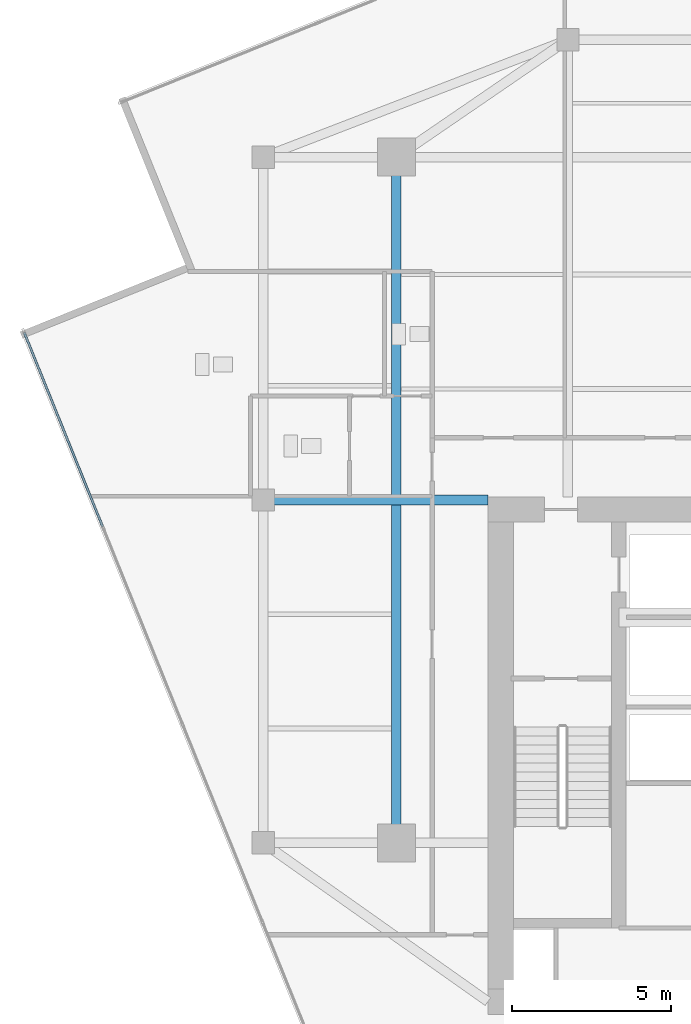
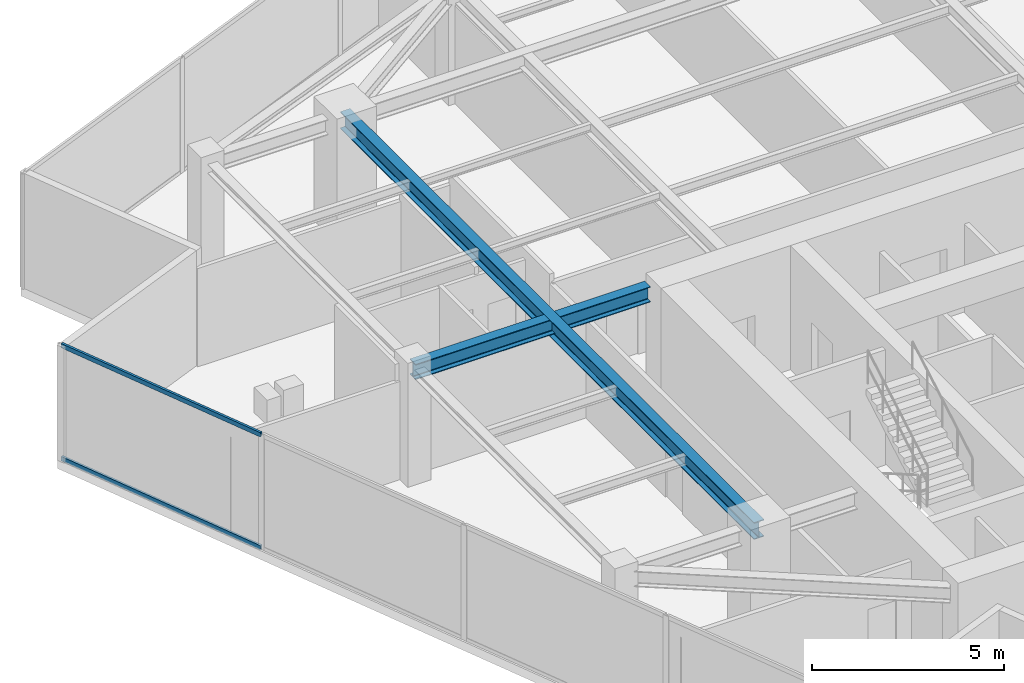
# One storey, part 6 of 21: 2 beams, 2 members, 1 element without a shape of its own.
"""IFC4 building model written with IfcOpenShell, lengths in metres."""

from ifc_helpers import new_model, si_unit, direction, frame, origin, origin_2d, place, context, subcontext, project, spatial, hollow_rectangle, i_section, extrude, source, transform, mapped, material, material_profile, profile_set, type_object, type_shapes, element, aggregate, save


model = new_model("IFC4")

# Units and contexts
model_context = context("Model", 3, precision=1e-05, world=origin(), true_north=direction((0.0, 1.0)))
body_context = subcontext(model_context, "Body", "Model", "MODEL_VIEW")
ifc_project = project(units=[si_unit("LENGTHUNIT", "METRE"), si_unit("AREAUNIT", "SQUARE_METRE"), si_unit("VOLUMEUNIT", "CUBIC_METRE"), si_unit("PLANEANGLEUNIT", "RADIAN"), si_unit("MASSUNIT", "GRAM", prefix="KILO")], contexts=[model_context])

# Site, building, storey
site_placement = place(None, origin())
site = spatial("IfcSite", under=ifc_project, at=site_placement, CompositionType="ELEMENT")
building_placement = place(site_placement, origin())
building = spatial("IfcBuilding", under=site, at=building_placement, Name="Krantzveldt Concourse Tower", CompositionType="ELEMENT")
storey_placement = place(building_placement, frame((0.0, 0.0, 327.699951171875)))
storey = spatial("IfcBuildingStorey", under=building, at=storey_placement, Name="L80", CompositionType="ELEMENT", Elevation=327.699951171875)

# Beams
ifc_material_1 = material(Name="Steel S355JR", Category="steel")
ifc_material_profile_1 = material_profile(ifc_material_1, i_section(OverallWidth=0.300048828125, OverallDepth=0.489990234375, WebThickness=0.011962890625, FlangeThickness=0.02294921875, FilletRadius=0.027099609375, at=origin_2d()), Name="Steel S355JR", Category="steel")
ifc_profile_set_1 = profile_set([ifc_material_profile_1], Name="Steel S355JR - HEA 500")
beam_type_1 = type_object("IfcBeamType", Name="BM-B-HEA500", PredefinedType="BEAM", material=ifc_profile_set_1)
shared_shape_1 = source(origin(), body_context, "Body", "SweptSolid", [
    extrude(i_section(OverallWidth=0.300048828125, OverallDepth=0.489990234375, WebThickness=0.011962890625, FlangeThickness=0.02294921875, FilletRadius=0.027099609375, at=origin_2d()), origin(), (0.0, 0.0, 1.0), 7.080078125),
])
type_shapes(beam_type_1, [shared_shape_1])
beam_1_placement = place(storey_placement, frame((21.0, 26.699951171875, 3.425048828125), z_axis=(1.0, 0.0, 0.0), x_axis=(0.0, 1.0, 0.0)))
element("IfcBeam", 1, at=beam_1_placement, inside=storey, type_object=beam_type_1, Name="L80 Tower Girder BG-CW2", PredefinedType="BEAM", context=body_context, shape_type="MappedRepresentation", body=[
    mapped(shared_shape_1, transform((0.0, 0.0, 0.0), x_axis=(1.0, 0.0, 0.0), y_axis=(0.0, 1.0, 0.0), z_axis=(0.0, 0.0, 1.0), scale=1.0)),
])
ifc_material_profile_2 = material_profile(ifc_material_1, i_section(OverallWidth=0.300048828125, OverallDepth=0.5400390625, WebThickness=0.012451171875, FlangeThickness=0.02392578125, FilletRadius=0.027099609375, at=origin_2d()), Name="Steel S355JR", Category="steel")
ifc_profile_set_2 = profile_set([ifc_material_profile_2], Name="Steel S355JR - HEA 550")
beam_type_2 = type_object("IfcBeamType", Name="BM-B-HEA550", PredefinedType="BEAM", material=ifc_profile_set_2)
shared_shape_2 = source(origin(), body_context, "Body", "SweptSolid", [
    extrude(i_section(OverallWidth=0.300048828125, OverallDepth=0.5400390625, WebThickness=0.012451171875, FlangeThickness=0.02392578125, FilletRadius=0.027099609375, at=origin_2d()), origin(), (0.0, 0.0, 1.0), 21.60009765625),
])
type_shapes(beam_type_2, [shared_shape_2])
beam_2_placement = place(storey_placement, frame((25.199951171875, 15.89990234375, 3.400146484375), z_axis=(0.0, 1.0, 0.0), x_axis=(-1.0, 0.0, 0.0)))
element("IfcBeam", 2, at=beam_2_placement, inside=storey, type_object=beam_type_2, Name="L80 Tower Girder BG-MW", PredefinedType="BEAM", context=body_context, shape_type="MappedRepresentation", body=[
    mapped(shared_shape_2, transform((0.0, 0.0, 0.0), x_axis=(1.0, 0.0, 0.0), y_axis=(0.0, 1.0, 0.0), z_axis=(0.0, 0.0, 1.0), scale=1.0)),
])

# Curtain wall, members
ifc_material_2 = material(Name="Anodised aluminium 6063-T6", Category="aluminium")
curtain_wall_type = type_object("IfcCurtainWallType", Name="CW4", PredefinedType="USERDEFINED", material=ifc_material_2)
curtain_wall_placement = place(storey_placement, origin())
curtain_wall = element("IfcCurtainWall", 3, at=curtain_wall_placement, inside=storey, type_object=curtain_wall_type, Name="CW-L80-F04", ObjectType="UNITISED CURTAIN WALL", PredefinedType="USERDEFINED")
ifc_material_profile_3 = material_profile(ifc_material_2, hollow_rectangle(XDim=0.070068359375, YDim=0.139892578125, WallThickness=0.0048828125, at=origin_2d()), Name="Anodised aluminium 6063-T6", Category="aluminium")
ifc_profile_set_3 = profile_set([ifc_material_profile_3], Name="Anodised aluminium 6063-T6 - ALU-TRAN 140x70x5")
member_type = type_object("IfcMemberType", Name="CW-TRN-150", PredefinedType="USERDEFINED", material=ifc_profile_set_3)
shared_shape_3 = source(origin(), body_context, "Body", "SweptSolid", [
    extrude(hollow_rectangle(XDim=0.070068359375, YDim=0.139892578125, WallThickness=0.0048828125, at=origin_2d()), origin(), (0.0, 0.0, 1.0), 6.594970703125),
])
type_shapes(member_type, [shared_shape_3])
member_1_placement = place(storey_placement, frame((13.473388671875, 31.9755859375, 0.03515625), z_axis=(0.374630752399, -0.927174093338, 0.0), x_axis=(0.927174093338, 0.374630752399, 0.0)))
member_1 = element("IfcMember", 4, at=member_1_placement, type_object=member_type, Name="CW-Z56 transom 1.1", ObjectType="TRANSOM", PredefinedType="USERDEFINED", context=body_context, shape_type="MappedRepresentation", body=[
    mapped(shared_shape_3, transform((0.0, 0.0, 0.0), x_axis=(1.0, 0.0, 0.0), y_axis=(0.0, 1.0, 0.0), z_axis=(0.0, 0.0, 1.0), scale=1.0)),
])
member_2_placement = place(storey_placement, frame((13.473388671875, 31.9755859375, 3.635009765625), z_axis=(0.374630752399, -0.927174093338, 0.0), x_axis=(0.927174093338, 0.374630752399, 0.0)))
member_2 = element("IfcMember", 5, at=member_2_placement, type_object=member_type, Name="CW-Z56 transom 1.2", ObjectType="TRANSOM", PredefinedType="USERDEFINED", context=body_context, shape_type="MappedRepresentation", body=[
    mapped(shared_shape_3, transform((0.0, 0.0, 0.0), x_axis=(1.0, 0.0, 0.0), y_axis=(0.0, 1.0, 0.0), z_axis=(0.0, 0.0, 1.0), scale=1.0)),
])
aggregate(curtain_wall, [member_1, member_2])

save(model, "model.ifc")
